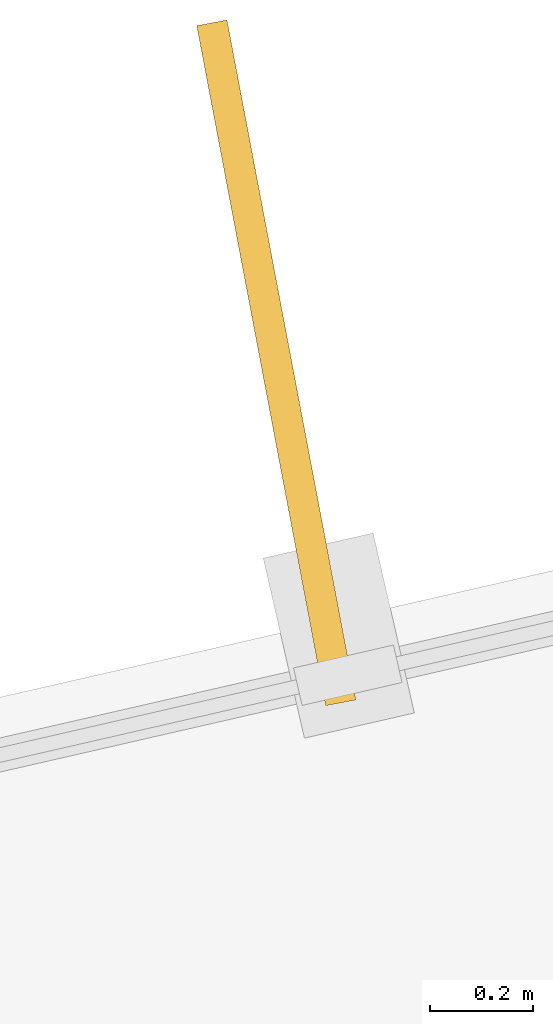
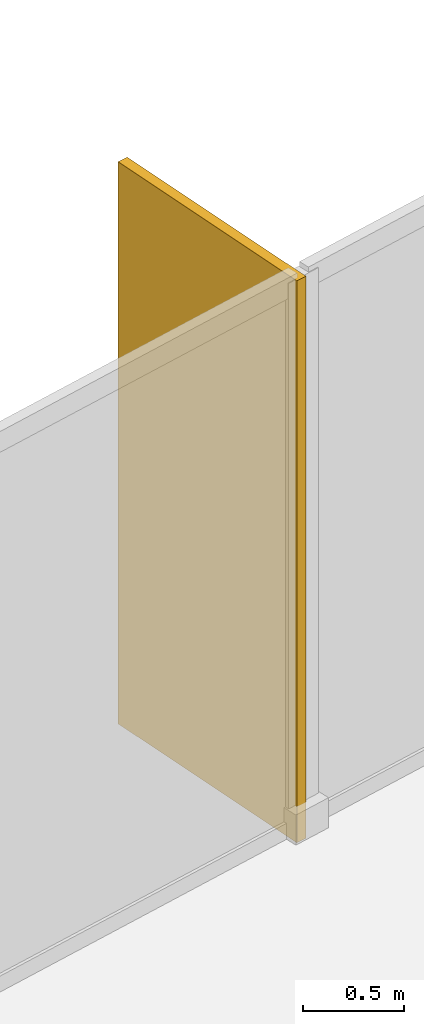
# One storey, part 11 of 11: 1 shading device.
"""IFC4 building model written with IfcOpenShell, lengths in metres."""

from ifc_helpers import new_model, si_unit, direction, frame, origin, origin_2d, place, context, subcontext, project, spatial, rectangle, extrude, material, layer, layer_set, type_object, element, save


model = new_model("IFC4")

# Units and contexts
model_context = context("Model", 3, precision=1e-05, world=origin(), true_north=direction((0.0, 1.0)))
body_context = subcontext(model_context, "Body", "Model", "MODEL_VIEW")
ifc_project = project(units=[si_unit("LENGTHUNIT", "METRE"), si_unit("AREAUNIT", "SQUARE_METRE"), si_unit("VOLUMEUNIT", "CUBIC_METRE"), si_unit("PLANEANGLEUNIT", "RADIAN"), si_unit("MASSUNIT", "GRAM", prefix="KILO")], contexts=[model_context])

# Site, building, storey
site_placement = place(None, origin())
site = spatial("IfcSite", under=ifc_project, at=site_placement, CompositionType="ELEMENT")
building_placement = place(site_placement, origin())
building = spatial("IfcBuilding", under=site, at=building_placement, Name="Solmarez Civic Tower", CompositionType="ELEMENT")
storey_placement = place(building_placement, frame((0.0, 0.0, 119.8798828125)))
storey = spatial("IfcBuildingStorey", under=building, at=storey_placement, Name="L31", CompositionType="ELEMENT", Elevation=119.8798828125)

# Shading device
ifc_material = material(Name="Bronze Anodised Aluminium EN AW-6063 T6", Category="aluminium")
ifc_layer = layer(ifc_material, 0.06005859375)
ifc_layer_set = layer_set([ifc_layer], Name="Bronze Anodised Aluminium EN AW-6063 T6")
shading_device_type = type_object("IfcShadingDeviceType", Name="FIN-BRONZE-Z34", PredefinedType="USERDEFINED", material=ifc_layer_set)
shading_device_placement = place(storey_placement, frame((-6.097900390625, 26.6259765625, -0.039794921875), z_axis=(0.0, 0.0, 1.0), x_axis=(-0.186215380914, 0.982508947497, 0.0)))
element("IfcShadingDevice", 1, at=shading_device_placement, inside=storey, type_object=shading_device_type, Name="L31 Anodised Bronze Solar Fin FIN-L31-05", ObjectType="FIN", PredefinedType="USERDEFINED", context=body_context, shape_type="SweptSolid", body=[
    extrude(rectangle(XDim=1.35009765625, YDim=0.06005859375, at=origin_2d()), origin(), (0.0, 0.0, 1.0), 3.3798828125),
])

save(model, "model.ifc")
